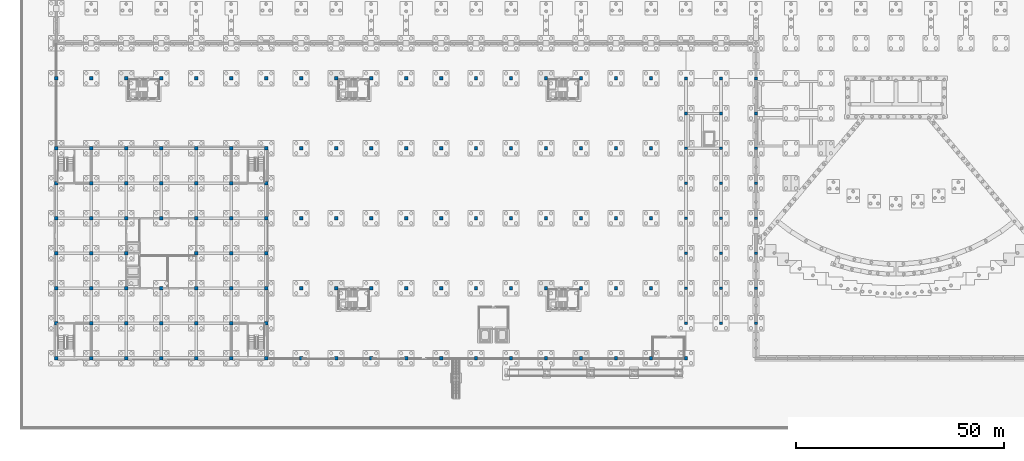
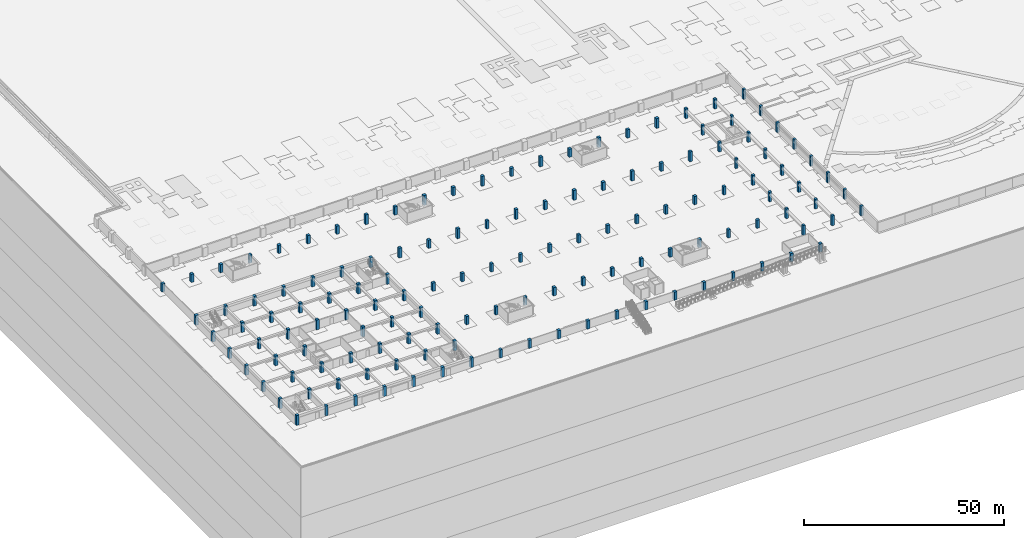
# One storey, part 26 of 67: 135 columns.
"""IFC4 building model written with IfcOpenShell, lengths in metres."""

from ifc_helpers import new_model, si_unit, direction, frame, origin, origin_2d, place, context, subcontext, project, spatial, rectangle, extrude, material, material_profile, profile_set, type_object, element, save


model = new_model("IFC4")

# Units and contexts
model_context = context("Model", 3, precision=1e-05, world=origin(), true_north=direction((0.0, 1.0)))
body_context = subcontext(model_context, "Body", "Model", "MODEL_VIEW")
ifc_project = project(units=[si_unit("LENGTHUNIT", "METRE"), si_unit("AREAUNIT", "SQUARE_METRE"), si_unit("VOLUMEUNIT", "CUBIC_METRE"), si_unit("PLANEANGLEUNIT", "RADIAN"), si_unit("MASSUNIT", "GRAM", prefix="KILO")], contexts=[model_context])

# Site, building, storey
site_placement = place(None, origin())
site = spatial("IfcSite", under=ifc_project, at=site_placement, CompositionType="ELEMENT")
building_placement = place(site_placement, origin())
building = spatial("IfcBuilding", under=site, at=building_placement, Name="Rain Tree Exposition and Congress Centre", CompositionType="ELEMENT")
storey_placement = place(building_placement, frame((0.0, 0.0, -3.0)))
storey = spatial("IfcBuildingStorey", under=building, at=storey_placement, Name="B1", CompositionType="ELEMENT", Elevation=-3.0)

# Columns
ifc_material_1 = material(Name="Precast concrete C50/60", Category="concrete")
ifc_material_profile_1 = material_profile(ifc_material_1, rectangle(XDim=0.699951171875, YDim=0.699951171875, at=origin_2d()), Name="RC 700x700")
ifc_profile_set_1 = profile_set([ifc_material_profile_1], Name="Precast concrete C50/60")
column_type_1 = type_object("IfcColumnType", Name="Precast column 700x700", PredefinedType="COLUMN", material=ifc_profile_set_1)
for number, where, z_axis, x_axis, name in (
    (1, (151.199951171875, 8.39990234375, 0.0), (0.0, 0.0, 1.0), (1.0, 0.0, 0.0), "CF151.2-8.4"),
    (2, (151.199951171875, 16.800048828125, 0.0), (0.0, 0.0, 1.0), (1.0, 0.0, 0.0), "CF151.2-16.8"),
    (3, (151.199951171875, 25.199951171875, 0.0), (0.0, 0.0, 1.0), (1.0, 0.0, 0.0), "CF151.2-25.2"),
    (4, (151.199951171875, 33.60009765625, 0.0), (0.0, 0.0, 1.0), (1.0, 0.0, 0.0), "CF151.2-33.6"),
    (5, (151.199951171875, 42.0, 0.0), (0.0, 0.0, 1.0), (1.0, 0.0, 0.0), "CF151.2-42"),
    (6, (151.199951171875, 50.39990234375, 0.0), (0.0, 0.0, 1.0), (1.0, 0.0, 0.0), "CF151.2-50.4"),
    (7, (151.199951171875, 58.800048828125, 0.0), (0.0, 0.0, 1.0), (1.0, 0.0, 0.0), "CF151.2-58.8"),
    (8, (151.199951171875, 67.199951171875, 0.0), (0.0, 0.0, 1.0), (1.0, 0.0, 0.0), "CF151.2-67.2"),
    (9, (159.60009765625, 8.39990234375, 0.0), (0.0, 0.0, 1.0), (1.0, 0.0, 0.0), "CF159.6-8.4"),
    (10, (159.60009765625, 16.800048828125, 0.0), (0.0, 0.0, 1.0), (1.0, 0.0, 0.0), "CF159.6-16.8"),
    (11, (159.60009765625, 25.199951171875, 0.0), (0.0, 0.0, 1.0), (1.0, 0.0, 0.0), "CF159.6-25.2"),
    (12, (159.60009765625, 33.60009765625, 0.0), (0.0, 0.0, 1.0), (1.0, 0.0, 0.0), "CF159.6-33.6"),
    (13, (159.60009765625, 42.0, 0.0), (0.0, 0.0, 1.0), (1.0, 0.0, 0.0), "CF159.6-42"),
    (14, (159.60009765625, 50.39990234375, 0.0), (0.0, 0.0, 1.0), (1.0, 0.0, 0.0), "CF159.6-50.4"),
    (15, (159.60009765625, 58.800048828125, 0.0), (0.0, 0.0, 1.0), (1.0, 0.0, 0.0), "CF159.6-58.8"),
    (16, (159.60009765625, 67.199951171875, 0.0), (0.0, 0.0, 1.0), (1.0, 0.0, 0.0), "CF159.6-67.2"),
    (17, (168.0, 8.39990234375, 0.0), (0.0, 0.0, 1.0), (1.0, 0.0, 0.0), "CF168-8.4"),
    (18, (168.0, 16.800048828125, 0.0), (0.0, 0.0, 1.0), (1.0, 0.0, 0.0), "CF168-16.8"),
    (19, (168.0, 25.199951171875, 0.0), (0.0, 0.0, 1.0), (1.0, 0.0, 0.0), "CF168-25.2"),
    (20, (168.0, 33.60009765625, 0.0), (0.0, 0.0, 1.0), (1.0, 0.0, 0.0), "CF168-33.6"),
    (21, (168.0, 42.0, 0.0), (0.0, 0.0, 1.0), (1.0, 0.0, 0.0), "CF168-42"),
    (22, (168.0, 50.39990234375, 0.0), (0.0, 0.0, 1.0), (1.0, 0.0, 0.0), "CF168-50.4"),
    (23, (168.0, 58.800048828125, 0.0), (0.0, 0.0, 1.0), (1.0, 0.0, 0.0), "CF168-58.8"),
    (24, (168.0, 67.199951171875, 0.0), (0.0, 0.0, 1.0), (1.0, 0.0, 0.0), "CF168-67.2"),
):
    element("IfcColumn", number, at=place(storey_placement, frame(where, z_axis=z_axis, x_axis=x_axis)), inside=storey, type_object=column_type_1, Name=name, PredefinedType="COLUMN", context=body_context, shape_type="SweptSolid", body=[
        extrude(rectangle(XDim=0.699951171875, YDim=0.699951171875, at=origin_2d()), origin(), (0.0, 0.0, 1.0), 3.0),
    ])
ifc_material_2 = material(Name="Precast concrete C50/60", Category="concrete")
ifc_material_profile_2 = material_profile(ifc_material_2, rectangle(XDim=0.800048828125, YDim=0.800048828125, at=origin_2d()), Name="RC 800x800")
ifc_profile_set_2 = profile_set([ifc_material_profile_2], Name="Precast concrete C50/60")
column_type_2 = type_object("IfcColumnType", Name="Precast column 800x800", PredefinedType="COLUMN", material=ifc_profile_set_2)
for number, where, z_axis, x_axis, name in (
    (25, (58.800048828125, 0.0, 0.0), (0.0, 0.0, 1.0), (1.0, 0.0, 0.0), "Column S001"),
    (26, (67.199951171875, 0.0, 0.0), (0.0, 0.0, 1.0), (1.0, 0.0, 0.0), "Column S002"),
    (27, (75.60009765625, 0.0, 0.0), (0.0, 0.0, 1.0), (1.0, 0.0, 0.0), "Column S003"),
    (28, (84.0, 0.0, 0.0), (0.0, 0.0, 1.0), (1.0, 0.0, 0.0), "Column S004"),
    (29, (92.39990234375, 0.0, 0.0), (0.0, 0.0, 1.0), (1.0, 0.0, 0.0), "Column S005"),
    (30, (100.800048828125, 0.0, 0.0), (0.0, 0.0, 1.0), (1.0, 0.0, 0.0), "Column S006"),
    (31, (109.199951171875, 0.0, 0.0), (0.0, 0.0, 1.0), (1.0, 0.0, 0.0), "Column S007"),
    (32, (117.60009765625, 0.0, 0.0), (0.0, 0.0, 1.0), (1.0, 0.0, 0.0), "Column S008"),
    (33, (126.0, 0.0, 0.0), (0.0, 0.0, 1.0), (1.0, 0.0, 0.0), "Column S009"),
    (34, (134.39990234375, 0.0, 0.0), (0.0, 0.0, 1.0), (1.0, 0.0, 0.0), "Column S010"),
    (35, (142.800048828125, 0.0, 0.0), (0.0, 0.0, 1.0), (1.0, 0.0, 0.0), "Column S011"),
    (36, (151.199951171875, 0.0, 0.0), (0.0, 0.0, 1.0), (1.0, 0.0, 0.0), "Column S012"),
    (37, (58.800048828125, 16.800048828125, 0.0), (0.0, 0.0, 1.0), (1.0, 0.0, 0.0), "Column S013"),
    (38, (67.199951171875, 16.800048828125, 0.0), (0.0, 0.0, 1.0), (1.0, 0.0, 0.0), "Column S014"),
    (39, (75.60009765625, 16.800048828125, 0.0), (0.0, 0.0, 1.0), (1.0, 0.0, 0.0), "Column S015"),
    (40, (84.0, 16.800048828125, 0.0), (0.0, 0.0, 1.0), (1.0, 0.0, 0.0), "Column S016"),
    (41, (92.39990234375, 16.800048828125, 0.0), (0.0, 0.0, 1.0), (1.0, 0.0, 0.0), "Column S017"),
    (42, (100.800048828125, 16.800048828125, 0.0), (0.0, 0.0, 1.0), (1.0, 0.0, 0.0), "Column S018"),
    (43, (109.199951171875, 16.800048828125, 0.0), (0.0, 0.0, 1.0), (1.0, 0.0, 0.0), "Column S019"),
    (44, (117.60009765625, 16.800048828125, 0.0), (0.0, 0.0, 1.0), (1.0, 0.0, 0.0), "Column S020"),
    (45, (126.0, 16.800048828125, 0.0), (0.0, 0.0, 1.0), (1.0, 0.0, 0.0), "Column S021"),
    (46, (134.39990234375, 16.800048828125, 0.0), (0.0, 0.0, 1.0), (1.0, 0.0, 0.0), "Column S022"),
    (47, (142.800048828125, 16.800048828125, 0.0), (0.0, 0.0, 1.0), (1.0, 0.0, 0.0), "Column S023"),
    (48, (58.800048828125, 33.60009765625, 0.0), (0.0, 0.0, 1.0), (1.0, 0.0, 0.0), "Column S024"),
    (49, (67.199951171875, 33.60009765625, 0.0), (0.0, 0.0, 1.0), (1.0, 0.0, 0.0), "Column S025"),
    (50, (75.60009765625, 33.60009765625, 0.0), (0.0, 0.0, 1.0), (1.0, 0.0, 0.0), "Column S026"),
    (51, (84.0, 33.60009765625, 0.0), (0.0, 0.0, 1.0), (1.0, 0.0, 0.0), "Column S027"),
    (52, (92.39990234375, 33.60009765625, 0.0), (0.0, 0.0, 1.0), (1.0, 0.0, 0.0), "Column S028"),
    (53, (100.800048828125, 33.60009765625, 0.0), (0.0, 0.0, 1.0), (1.0, 0.0, 0.0), "Column S029"),
    (54, (109.199951171875, 33.60009765625, 0.0), (0.0, 0.0, 1.0), (1.0, 0.0, 0.0), "Column S030"),
    (55, (117.60009765625, 33.60009765625, 0.0), (0.0, 0.0, 1.0), (1.0, 0.0, 0.0), "Column S031"),
    (56, (126.0, 33.60009765625, 0.0), (0.0, 0.0, 1.0), (1.0, 0.0, 0.0), "Column S032"),
    (57, (134.39990234375, 33.60009765625, 0.0), (0.0, 0.0, 1.0), (1.0, 0.0, 0.0), "Column S033"),
    (58, (142.800048828125, 33.60009765625, 0.0), (0.0, 0.0, 1.0), (1.0, 0.0, 0.0), "Column S034"),
):
    element("IfcColumn", number, at=place(storey_placement, frame(where, z_axis=z_axis, x_axis=x_axis)), inside=storey, type_object=column_type_2, Name=name, PredefinedType="COLUMN", context=body_context, shape_type="SweptSolid", body=[
        extrude(rectangle(XDim=0.800048828125, YDim=0.800048828125, at=origin_2d()), origin(), (0.0, 0.0, 1.0), 2.5),
    ])
column_1_placement = place(storey_placement, frame((58.800048828125, 50.39990234375, 0.0), z_axis=(0.0, 0.0, 1.0), x_axis=(1.0, 0.0, 0.0)))
element("IfcColumn", 59, at=column_1_placement, inside=storey, type_object=column_type_2, Name="Column S035", PredefinedType="COLUMN", context=body_context, shape_type="SweptSolid", body=[
    extrude(rectangle(XDim=0.800048828125, YDim=0.800048828125, at=origin_2d()), origin(), (0.0, 0.0, 1.0), 3.0),
])
column_2_placement = place(storey_placement, frame((67.199951171875, 50.39990234375, 0.0), z_axis=(0.0, 0.0, 1.0), x_axis=(1.0, 0.0, 0.0)))
element("IfcColumn", 60, at=column_2_placement, inside=storey, type_object=column_type_2, Name="Column S036", PredefinedType="COLUMN", context=body_context, shape_type="SweptSolid", body=[
    extrude(rectangle(XDim=0.800048828125, YDim=0.800048828125, at=origin_2d()), origin(), (0.0, 0.0, 1.0), 2.5),
])
column_3_placement = place(storey_placement, frame((75.60009765625, 50.39990234375, 0.0), z_axis=(0.0, 0.0, 1.0), x_axis=(1.0, 0.0, 0.0)))
element("IfcColumn", 61, at=column_3_placement, inside=storey, type_object=column_type_2, Name="Column S037", PredefinedType="COLUMN", context=body_context, shape_type="SweptSolid", body=[
    extrude(rectangle(XDim=0.800048828125, YDim=0.800048828125, at=origin_2d()), origin(), (0.0, 0.0, 1.0), 3.0),
])
column_4_placement = place(storey_placement, frame((84.0, 50.39990234375, 0.0), z_axis=(0.0, 0.0, 1.0), x_axis=(1.0, 0.0, 0.0)))
element("IfcColumn", 62, at=column_4_placement, inside=storey, type_object=column_type_2, Name="Column S038", PredefinedType="COLUMN", context=body_context, shape_type="SweptSolid", body=[
    extrude(rectangle(XDim=0.800048828125, YDim=0.800048828125, at=origin_2d()), origin(), (0.0, 0.0, 1.0), 2.5),
])
column_5_placement = place(storey_placement, frame((92.39990234375, 50.39990234375, 0.0), z_axis=(0.0, 0.0, 1.0), x_axis=(1.0, 0.0, 0.0)))
element("IfcColumn", 63, at=column_5_placement, inside=storey, type_object=column_type_2, Name="Column S039", PredefinedType="COLUMN", context=body_context, shape_type="SweptSolid", body=[
    extrude(rectangle(XDim=0.800048828125, YDim=0.800048828125, at=origin_2d()), origin(), (0.0, 0.0, 1.0), 3.0),
])
column_6_placement = place(storey_placement, frame((100.800048828125, 50.39990234375, 0.0), z_axis=(0.0, 0.0, 1.0), x_axis=(1.0, 0.0, 0.0)))
element("IfcColumn", 64, at=column_6_placement, inside=storey, type_object=column_type_2, Name="Column S040", PredefinedType="COLUMN", context=body_context, shape_type="SweptSolid", body=[
    extrude(rectangle(XDim=0.800048828125, YDim=0.800048828125, at=origin_2d()), origin(), (0.0, 0.0, 1.0), 2.5),
])
column_7_placement = place(storey_placement, frame((109.199951171875, 50.39990234375, 0.0), z_axis=(0.0, 0.0, 1.0), x_axis=(1.0, 0.0, 0.0)))
element("IfcColumn", 65, at=column_7_placement, inside=storey, type_object=column_type_2, Name="Column S041", PredefinedType="COLUMN", context=body_context, shape_type="SweptSolid", body=[
    extrude(rectangle(XDim=0.800048828125, YDim=0.800048828125, at=origin_2d()), origin(), (0.0, 0.0, 1.0), 3.0),
])
column_8_placement = place(storey_placement, frame((117.60009765625, 50.39990234375, 0.0), z_axis=(0.0, 0.0, 1.0), x_axis=(1.0, 0.0, 0.0)))
element("IfcColumn", 66, at=column_8_placement, inside=storey, type_object=column_type_2, Name="Column S042", PredefinedType="COLUMN", context=body_context, shape_type="SweptSolid", body=[
    extrude(rectangle(XDim=0.800048828125, YDim=0.800048828125, at=origin_2d()), origin(), (0.0, 0.0, 1.0), 2.5),
])
column_9_placement = place(storey_placement, frame((126.0, 50.39990234375, 0.0), z_axis=(0.0, 0.0, 1.0), x_axis=(1.0, 0.0, 0.0)))
element("IfcColumn", 67, at=column_9_placement, inside=storey, type_object=column_type_2, Name="Column S043", PredefinedType="COLUMN", context=body_context, shape_type="SweptSolid", body=[
    extrude(rectangle(XDim=0.800048828125, YDim=0.800048828125, at=origin_2d()), origin(), (0.0, 0.0, 1.0), 3.0),
])
column_10_placement = place(storey_placement, frame((134.39990234375, 50.39990234375, 0.0), z_axis=(0.0, 0.0, 1.0), x_axis=(1.0, 0.0, 0.0)))
element("IfcColumn", 68, at=column_10_placement, inside=storey, type_object=column_type_2, Name="Column S044", PredefinedType="COLUMN", context=body_context, shape_type="SweptSolid", body=[
    extrude(rectangle(XDim=0.800048828125, YDim=0.800048828125, at=origin_2d()), origin(), (0.0, 0.0, 1.0), 2.5),
])
column_11_placement = place(storey_placement, frame((142.800048828125, 50.39990234375, 0.0), z_axis=(0.0, 0.0, 1.0), x_axis=(1.0, 0.0, 0.0)))
element("IfcColumn", 69, at=column_11_placement, inside=storey, type_object=column_type_2, Name="Column S045", PredefinedType="COLUMN", context=body_context, shape_type="SweptSolid", body=[
    extrude(rectangle(XDim=0.800048828125, YDim=0.800048828125, at=origin_2d()), origin(), (0.0, 0.0, 1.0), 3.0),
])
for number, where, z_axis, x_axis, name in (
    (70, (0.0, 67.199951171875, 0.0), (0.0, 0.0, 1.0), (1.0, 0.0, 0.0), "Column S046"),
    (71, (8.39990234375, 67.199951171875, 0.0), (0.0, 0.0, 1.0), (1.0, 0.0, 0.0), "Column S047"),
    (72, (16.800048828125, 67.199951171875, 0.0), (0.0, 0.0, 1.0), (1.0, 0.0, 0.0), "Column S048"),
    (73, (25.199951171875, 67.199951171875, 0.0), (0.0, 0.0, 1.0), (1.0, 0.0, 0.0), "Column S049"),
    (74, (33.60009765625, 67.199951171875, 0.0), (0.0, 0.0, 1.0), (1.0, 0.0, 0.0), "Column S050"),
    (75, (42.0, 67.199951171875, 0.0), (0.0, 0.0, 1.0), (1.0, 0.0, 0.0), "Column S051"),
    (76, (50.39990234375, 67.199951171875, 0.0), (0.0, 0.0, 1.0), (1.0, 0.0, 0.0), "Column S052"),
):
    element("IfcColumn", number, at=place(storey_placement, frame(where, z_axis=z_axis, x_axis=x_axis)), inside=storey, type_object=column_type_2, Name=name, PredefinedType="COLUMN", context=body_context, shape_type="SweptSolid", body=[
        extrude(rectangle(XDim=0.800048828125, YDim=0.800048828125, at=origin_2d()), origin(), (0.0, 0.0, 1.0), 2.5),
    ])
column_12_placement = place(storey_placement, frame((58.800048828125, 67.199951171875, 0.0), z_axis=(0.0, 0.0, 1.0), x_axis=(1.0, 0.0, 0.0)))
element("IfcColumn", 77, at=column_12_placement, inside=storey, type_object=column_type_2, Name="Column S053", PredefinedType="COLUMN", context=body_context, shape_type="SweptSolid", body=[
    extrude(rectangle(XDim=0.800048828125, YDim=0.800048828125, at=origin_2d()), origin(), (0.0, 0.0, 1.0), 3.0),
])
column_13_placement = place(storey_placement, frame((67.199951171875, 67.199951171875, 0.0), z_axis=(0.0, 0.0, 1.0), x_axis=(1.0, 0.0, 0.0)))
element("IfcColumn", 78, at=column_13_placement, inside=storey, type_object=column_type_2, Name="Column S054", PredefinedType="COLUMN", context=body_context, shape_type="SweptSolid", body=[
    extrude(rectangle(XDim=0.800048828125, YDim=0.800048828125, at=origin_2d()), origin(), (0.0, 0.0, 1.0), 2.5),
])
column_14_placement = place(storey_placement, frame((75.60009765625, 67.199951171875, 0.0), z_axis=(0.0, 0.0, 1.0), x_axis=(1.0, 0.0, 0.0)))
element("IfcColumn", 79, at=column_14_placement, inside=storey, type_object=column_type_2, Name="Column S055", PredefinedType="COLUMN", context=body_context, shape_type="SweptSolid", body=[
    extrude(rectangle(XDim=0.800048828125, YDim=0.800048828125, at=origin_2d()), origin(), (0.0, 0.0, 1.0), 3.0),
])
column_15_placement = place(storey_placement, frame((84.0, 67.199951171875, 0.0), z_axis=(0.0, 0.0, 1.0), x_axis=(1.0, 0.0, 0.0)))
element("IfcColumn", 80, at=column_15_placement, inside=storey, type_object=column_type_2, Name="Column S056", PredefinedType="COLUMN", context=body_context, shape_type="SweptSolid", body=[
    extrude(rectangle(XDim=0.800048828125, YDim=0.800048828125, at=origin_2d()), origin(), (0.0, 0.0, 1.0), 2.5),
])
column_16_placement = place(storey_placement, frame((92.39990234375, 67.199951171875, 0.0), z_axis=(0.0, 0.0, 1.0), x_axis=(1.0, 0.0, 0.0)))
element("IfcColumn", 81, at=column_16_placement, inside=storey, type_object=column_type_2, Name="Column S057", PredefinedType="COLUMN", context=body_context, shape_type="SweptSolid", body=[
    extrude(rectangle(XDim=0.800048828125, YDim=0.800048828125, at=origin_2d()), origin(), (0.0, 0.0, 1.0), 3.0),
])
column_17_placement = place(storey_placement, frame((100.800048828125, 67.199951171875, 0.0), z_axis=(0.0, 0.0, 1.0), x_axis=(1.0, 0.0, 0.0)))
element("IfcColumn", 82, at=column_17_placement, inside=storey, type_object=column_type_2, Name="Column S058", PredefinedType="COLUMN", context=body_context, shape_type="SweptSolid", body=[
    extrude(rectangle(XDim=0.800048828125, YDim=0.800048828125, at=origin_2d()), origin(), (0.0, 0.0, 1.0), 2.5),
])
column_18_placement = place(storey_placement, frame((109.199951171875, 67.199951171875, 0.0), z_axis=(0.0, 0.0, 1.0), x_axis=(1.0, 0.0, 0.0)))
element("IfcColumn", 83, at=column_18_placement, inside=storey, type_object=column_type_2, Name="Column S059", PredefinedType="COLUMN", context=body_context, shape_type="SweptSolid", body=[
    extrude(rectangle(XDim=0.800048828125, YDim=0.800048828125, at=origin_2d()), origin(), (0.0, 0.0, 1.0), 3.0),
])
column_19_placement = place(storey_placement, frame((117.60009765625, 67.199951171875, 0.0), z_axis=(0.0, 0.0, 1.0), x_axis=(1.0, 0.0, 0.0)))
element("IfcColumn", 84, at=column_19_placement, inside=storey, type_object=column_type_2, Name="Column S060", PredefinedType="COLUMN", context=body_context, shape_type="SweptSolid", body=[
    extrude(rectangle(XDim=0.800048828125, YDim=0.800048828125, at=origin_2d()), origin(), (0.0, 0.0, 1.0), 2.5),
])
column_20_placement = place(storey_placement, frame((126.0, 67.199951171875, 0.0), z_axis=(0.0, 0.0, 1.0), x_axis=(1.0, 0.0, 0.0)))
element("IfcColumn", 85, at=column_20_placement, inside=storey, type_object=column_type_2, Name="Column S061", PredefinedType="COLUMN", context=body_context, shape_type="SweptSolid", body=[
    extrude(rectangle(XDim=0.800048828125, YDim=0.800048828125, at=origin_2d()), origin(), (0.0, 0.0, 1.0), 3.0),
])
column_21_placement = place(storey_placement, frame((134.39990234375, 67.199951171875, 0.0), z_axis=(0.0, 0.0, 1.0), x_axis=(1.0, 0.0, 0.0)))
element("IfcColumn", 86, at=column_21_placement, inside=storey, type_object=column_type_2, Name="Column S062", PredefinedType="COLUMN", context=body_context, shape_type="SweptSolid", body=[
    extrude(rectangle(XDim=0.800048828125, YDim=0.800048828125, at=origin_2d()), origin(), (0.0, 0.0, 1.0), 2.5),
])
for number, where, z_axis, x_axis, name in (
    (87, (142.800048828125, 67.199951171875, 0.0), (0.0, 0.0, 1.0), (1.0, 0.0, 0.0), "Column S063"),
    (88, (0.0, 0.0, 0.0), (0.0, 0.0, 1.0), (1.0, 0.0, 0.0), "wing/column/B1/00000-00000"),
    (89, (0.0, 8.39990234375, 0.0), (0.0, 0.0, 1.0), (1.0, 0.0, 0.0), "wing/column/B1/00000-08400"),
    (90, (0.0, 16.800048828125, 0.0), (0.0, 0.0, 1.0), (1.0, 0.0, 0.0), "wing/column/B1/00000-16800"),
    (91, (0.0, 25.199951171875, 0.0), (0.0, 0.0, 1.0), (1.0, 0.0, 0.0), "wing/column/B1/00000-25200"),
    (92, (0.0, 33.60009765625, 0.0), (0.0, 0.0, 1.0), (1.0, 0.0, 0.0), "wing/column/B1/00000-33600"),
    (93, (0.0, 42.0, 0.0), (0.0, 0.0, 1.0), (1.0, 0.0, 0.0), "wing/column/B1/00000-42000"),
    (94, (0.0, 50.39990234375, 0.0), (0.0, 0.0, 1.0), (1.0, 0.0, 0.0), "wing/column/B1/00000-50400"),
    (95, (8.39990234375, 0.0, 0.0), (0.0, 0.0, 1.0), (1.0, 0.0, 0.0), "wing/column/B1/08400-00000"),
    (96, (8.39990234375, 8.39990234375, 0.0), (0.0, 0.0, 1.0), (1.0, 0.0, 0.0), "wing/column/B1/08400-08400"),
    (97, (8.39990234375, 16.800048828125, 0.0), (0.0, 0.0, 1.0), (1.0, 0.0, 0.0), "wing/column/B1/08400-16800"),
    (98, (8.39990234375, 25.199951171875, 0.0), (0.0, 0.0, 1.0), (1.0, 0.0, 0.0), "wing/column/B1/08400-25200"),
    (99, (8.39990234375, 33.60009765625, 0.0), (0.0, 0.0, 1.0), (1.0, 0.0, 0.0), "wing/column/B1/08400-33600"),
    (100, (8.39990234375, 42.0, 0.0), (0.0, 0.0, 1.0), (1.0, 0.0, 0.0), "wing/column/B1/08400-42000"),
    (101, (8.39990234375, 50.39990234375, 0.0), (0.0, 0.0, 1.0), (1.0, 0.0, 0.0), "wing/column/B1/08400-50400"),
    (102, (16.800048828125, 0.0, 0.0), (0.0, 0.0, 1.0), (1.0, 0.0, 0.0), "wing/column/B1/16800-00000"),
    (103, (16.800048828125, 8.39990234375, 0.0), (0.0, 0.0, 1.0), (1.0, 0.0, 0.0), "wing/column/B1/16800-08400"),
    (104, (16.800048828125, 16.800048828125, 0.0), (0.0, 0.0, 1.0), (1.0, 0.0, 0.0), "wing/column/B1/16800-16800"),
    (105, (16.800048828125, 25.199951171875, 0.0), (0.0, 0.0, 1.0), (1.0, 0.0, 0.0), "wing/column/B1/16800-25200"),
    (106, (16.800048828125, 33.60009765625, 0.0), (0.0, 0.0, 1.0), (1.0, 0.0, 0.0), "wing/column/B1/16800-33600"),
    (107, (16.800048828125, 42.0, 0.0), (0.0, 0.0, 1.0), (1.0, 0.0, 0.0), "wing/column/B1/16800-42000"),
    (108, (16.800048828125, 50.39990234375, 0.0), (0.0, 0.0, 1.0), (1.0, 0.0, 0.0), "wing/column/B1/16800-50400"),
    (109, (25.199951171875, 0.0, 0.0), (0.0, 0.0, 1.0), (1.0, 0.0, 0.0), "wing/column/B1/25200-00000"),
    (110, (25.199951171875, 8.39990234375, 0.0), (0.0, 0.0, 1.0), (1.0, 0.0, 0.0), "wing/column/B1/25200-08400"),
    (111, (25.199951171875, 16.800048828125, 0.0), (0.0, 0.0, 1.0), (1.0, 0.0, 0.0), "wing/column/B1/25200-16800"),
    (112, (25.199951171875, 33.60009765625, 0.0), (0.0, 0.0, 1.0), (1.0, 0.0, 0.0), "wing/column/B1/25200-33600"),
    (113, (25.199951171875, 42.0, 0.0), (0.0, 0.0, 1.0), (1.0, 0.0, 0.0), "wing/column/B1/25200-42000"),
    (114, (25.199951171875, 50.39990234375, 0.0), (0.0, 0.0, 1.0), (1.0, 0.0, 0.0), "wing/column/B1/25200-50400"),
    (115, (33.60009765625, 0.0, 0.0), (0.0, 0.0, 1.0), (1.0, 0.0, 0.0), "wing/column/B1/33600-00000"),
    (116, (33.60009765625, 8.39990234375, 0.0), (0.0, 0.0, 1.0), (1.0, 0.0, 0.0), "wing/column/B1/33600-08400"),
    (117, (33.60009765625, 16.800048828125, 0.0), (0.0, 0.0, 1.0), (1.0, 0.0, 0.0), "wing/column/B1/33600-16800"),
    (118, (33.60009765625, 25.199951171875, 0.0), (0.0, 0.0, 1.0), (1.0, 0.0, 0.0), "wing/column/B1/33600-25200"),
    (119, (33.60009765625, 33.60009765625, 0.0), (0.0, 0.0, 1.0), (1.0, 0.0, 0.0), "wing/column/B1/33600-33600"),
    (120, (33.60009765625, 42.0, 0.0), (0.0, 0.0, 1.0), (1.0, 0.0, 0.0), "wing/column/B1/33600-42000"),
    (121, (33.60009765625, 50.39990234375, 0.0), (0.0, 0.0, 1.0), (1.0, 0.0, 0.0), "wing/column/B1/33600-50400"),
    (122, (42.0, 0.0, 0.0), (0.0, 0.0, 1.0), (1.0, 0.0, 0.0), "wing/column/B1/42000-00000"),
    (123, (42.0, 8.39990234375, 0.0), (0.0, 0.0, 1.0), (1.0, 0.0, 0.0), "wing/column/B1/42000-08400"),
    (124, (42.0, 16.800048828125, 0.0), (0.0, 0.0, 1.0), (1.0, 0.0, 0.0), "wing/column/B1/42000-16800"),
    (125, (42.0, 25.199951171875, 0.0), (0.0, 0.0, 1.0), (1.0, 0.0, 0.0), "wing/column/B1/42000-25200"),
    (126, (42.0, 33.60009765625, 0.0), (0.0, 0.0, 1.0), (1.0, 0.0, 0.0), "wing/column/B1/42000-33600"),
    (127, (42.0, 42.0, 0.0), (0.0, 0.0, 1.0), (1.0, 0.0, 0.0), "wing/column/B1/42000-42000"),
    (128, (42.0, 50.39990234375, 0.0), (0.0, 0.0, 1.0), (1.0, 0.0, 0.0), "wing/column/B1/42000-50400"),
    (129, (50.39990234375, 0.0, 0.0), (0.0, 0.0, 1.0), (1.0, 0.0, 0.0), "wing/column/B1/50400-00000"),
    (130, (50.39990234375, 8.39990234375, 0.0), (0.0, 0.0, 1.0), (1.0, 0.0, 0.0), "wing/column/B1/50400-08400"),
    (131, (50.39990234375, 16.800048828125, 0.0), (0.0, 0.0, 1.0), (1.0, 0.0, 0.0), "wing/column/B1/50400-16800"),
    (132, (50.39990234375, 25.199951171875, 0.0), (0.0, 0.0, 1.0), (1.0, 0.0, 0.0), "wing/column/B1/50400-25200"),
    (133, (50.39990234375, 33.60009765625, 0.0), (0.0, 0.0, 1.0), (1.0, 0.0, 0.0), "wing/column/B1/50400-33600"),
    (134, (50.39990234375, 42.0, 0.0), (0.0, 0.0, 1.0), (1.0, 0.0, 0.0), "wing/column/B1/50400-42000"),
    (135, (50.39990234375, 50.39990234375, 0.0), (0.0, 0.0, 1.0), (1.0, 0.0, 0.0), "wing/column/B1/50400-50400"),
):
    element("IfcColumn", number, at=place(storey_placement, frame(where, z_axis=z_axis, x_axis=x_axis)), inside=storey, type_object=column_type_2, Name=name, PredefinedType="COLUMN", context=body_context, shape_type="SweptSolid", body=[
        extrude(rectangle(XDim=0.800048828125, YDim=0.800048828125, at=origin_2d()), origin(), (0.0, 0.0, 1.0), 3.0),
    ])

save(model, "model.ifc")
